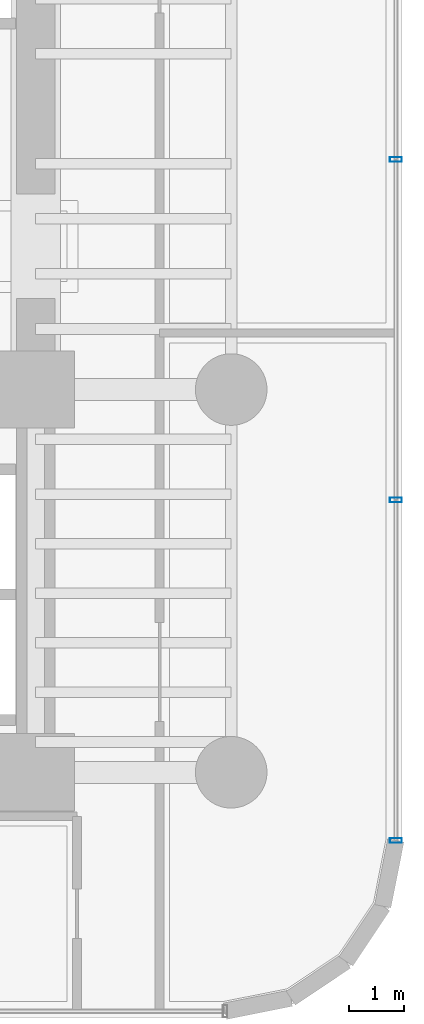
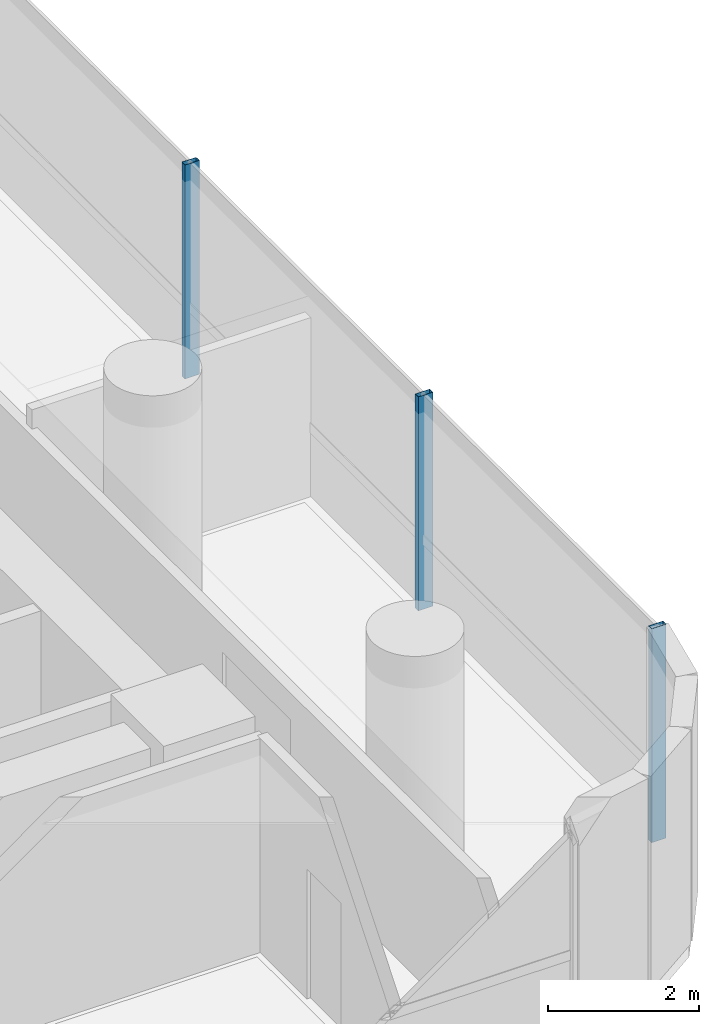
# One storey, part 26 of 40: 3 members, 1 element without a shape of its own.
"""IFC4 building model written with IfcOpenShell, lengths in metres."""

from ifc_helpers import new_model, si_unit, direction, frame, origin, origin_2d, place, context, subcontext, project, spatial, hollow_rectangle, extrude, source, transform, mapped, material, material_profile, profile_set, type_object, element, aggregate, save


model = new_model("IFC4")

# Units and contexts
model_context = context("Model", 3, precision=1e-05, world=origin(), true_north=direction((0.0, 1.0)))
body_context = subcontext(model_context, "Body", "Model", "MODEL_VIEW")
ifc_project = project(units=[si_unit("LENGTHUNIT", "METRE"), si_unit("AREAUNIT", "SQUARE_METRE"), si_unit("VOLUMEUNIT", "CUBIC_METRE"), si_unit("PLANEANGLEUNIT", "RADIAN"), si_unit("MASSUNIT", "GRAM", prefix="KILO")], contexts=[model_context])

# Site, building, storey
site_placement = place(None, origin())
site = spatial("IfcSite", under=ifc_project, at=site_placement, CompositionType="ELEMENT")
building_placement = place(site_placement, origin())
building = spatial("IfcBuilding", under=site, at=building_placement, Name="Valdorenza Pilgrim Sanctuary Tower", CompositionType="ELEMENT")
storey_placement = place(building_placement, frame((0.0, 0.0, 48.199951171875)))
storey = spatial("IfcBuildingStorey", under=building, at=storey_placement, Name="L11", CompositionType="ELEMENT", Elevation=48.199951171875)

# Curtain wall, members
ifc_material_1 = material(Name="Curtain-wall IGU glazing", Category="glass")
curtain_wall_type = type_object("IfcCurtainWallType", Name="CW-SYS-03", PredefinedType="NOTDEFINED", material=ifc_material_1)
curtain_wall_placement = place(storey_placement, origin())
curtain_wall = element("IfcCurtainWall", 1, at=curtain_wall_placement, inside=storey, type_object=curtain_wall_type, Name="L11 Curtain Wall CW-L11-1-21", PredefinedType="NOTDEFINED")
ifc_material_2 = material(Name="Anodised aluminium AW-6060", Category="aluminium")
ifc_material_profile = material_profile(ifc_material_2, hollow_rectangle(XDim=0.0849609375, YDim=0.219970703125, WallThickness=0.0048828125, at=origin_2d()), Name="ALU-M 220x85x5")
ifc_profile_set = profile_set([ifc_material_profile], Name="Anodised aluminium AW-6060")
member_type = type_object("IfcMemberType", Name="CW-MUL-03", PredefinedType="MULLION", material=ifc_profile_set)
shared_shape = source(origin(), body_context, "Body", "SweptSolid", [
    extrude(hollow_rectangle(XDim=0.0849609375, YDim=0.219970703125, WallThickness=0.0048828125, at=origin_2d()), origin(), (0.0, 0.0, 1.0), 3.4599609375),
])
member_1_placement = place(storey_placement, frame((31.389892578125, 1.577880859375, 0.0), z_axis=(0.0, 0.0, 1.0), x_axis=(0.0, -1.0, 0.0)))
member_1 = element("IfcMember", 2, at=member_1_placement, type_object=member_type, Name="CW-L11-1-21 Mullion 3", PredefinedType="MULLION", context=body_context, shape_type="MappedRepresentation", body=[
    mapped(shared_shape, transform((0.0, 0.0, 0.0), x_axis=(1.0, 0.0, 0.0), y_axis=(0.0, 1.0, 0.0), z_axis=(0.0, 0.0, 1.0), scale=1.0)),
])
member_2_placement = place(storey_placement, frame((31.389892578125, -4.605712890625, 0.0), z_axis=(0.0, 0.0, 1.0), x_axis=(0.0, -1.0, 0.0)))
member_2 = element("IfcMember", 3, at=member_2_placement, type_object=member_type, Name="CW-L11-1-21 Mullion 4", PredefinedType="MULLION", context=body_context, shape_type="MappedRepresentation", body=[
    mapped(shared_shape, transform((0.0, 0.0, 0.0), x_axis=(1.0, 0.0, 0.0), y_axis=(0.0, 1.0, 0.0), z_axis=(0.0, 0.0, 1.0), scale=1.0)),
])
member_3_placement = place(storey_placement, frame((31.389892578125, -10.789306640625, 0.0), z_axis=(0.0, 0.0, 1.0), x_axis=(0.0, -1.0, 0.0)))
member_3 = element("IfcMember", 4, at=member_3_placement, type_object=member_type, Name="CW-L11-1-21 Mullion 5", PredefinedType="MULLION", context=body_context, shape_type="MappedRepresentation", body=[
    mapped(shared_shape, transform((0.0, 0.0, 0.0), x_axis=(1.0, 0.0, 0.0), y_axis=(0.0, 1.0, 0.0), z_axis=(0.0, 0.0, 1.0), scale=1.0)),
])
aggregate(curtain_wall, [member_1, member_2, member_3])

save(model, "model.ifc")
